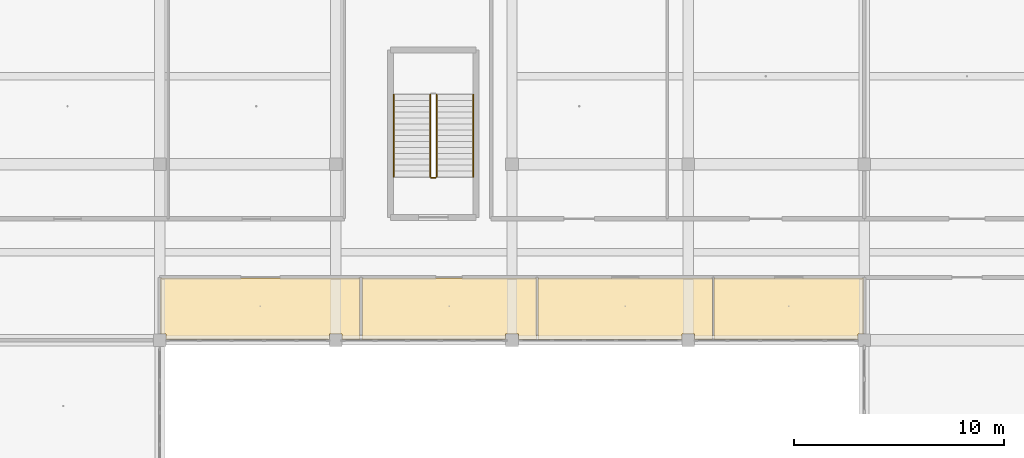
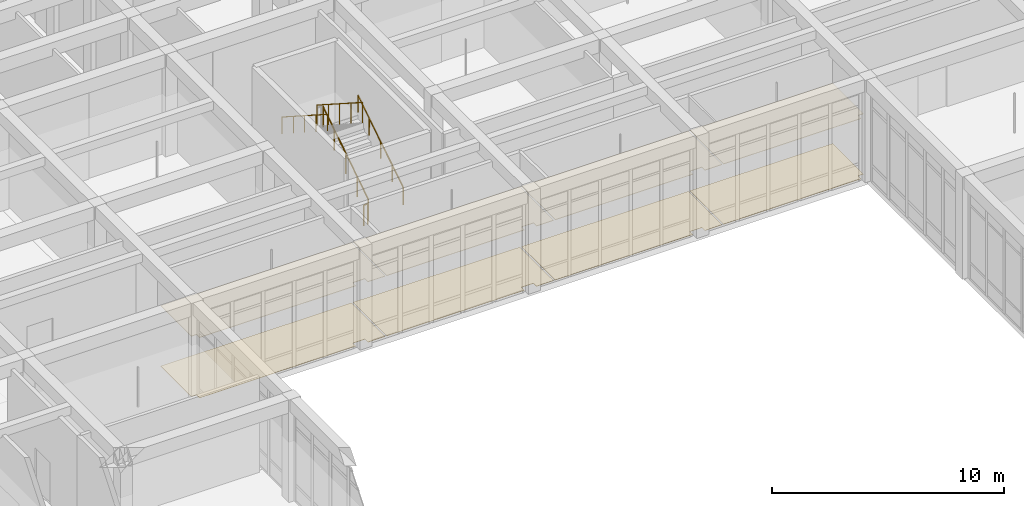
# One storey, part 138 of 157: 8 coverings, 5 railings.
"""IFC4 building model written with IfcOpenShell, lengths in metres."""

from ifc_helpers import new_model, si_unit, direction, frame, origin, origin_2d, place, context, subcontext, project, spatial, polyline, circle, outline, extrude, material, layer, layer_set, type_object, element, save


model = new_model("IFC4")

# Units and contexts
model_context = context("Model", 3, precision=1e-05, world=origin(), true_north=direction((0.0, 1.0)))
body_context = subcontext(model_context, "Body", "Model", "MODEL_VIEW")
ifc_project = project(units=[si_unit("LENGTHUNIT", "METRE"), si_unit("AREAUNIT", "SQUARE_METRE"), si_unit("VOLUMEUNIT", "CUBIC_METRE"), si_unit("PLANEANGLEUNIT", "RADIAN"), si_unit("MASSUNIT", "GRAM", prefix="KILO")], contexts=[model_context])

# Site, building, storey
site_placement = place(None, origin())
site = spatial("IfcSite", under=ifc_project, at=site_placement, CompositionType="ELEMENT")
building_placement = place(site_placement, origin())
building = spatial("IfcBuilding", under=site, at=building_placement, Name="Varncliffe General Hospital", CompositionType="ELEMENT")
storey_placement = place(building_placement, frame((0.0, 0.0, 5.39990234375)))
storey = spatial("IfcBuildingStorey", under=building, at=storey_placement, Name="L01", CompositionType="ELEMENT", Elevation=5.39990234375)

# Coverings
ifc_material_1 = material(Name="Hygienic antimicrobial acoustic suspended ceiling tile", Category="gypsum")
ifc_layer_1 = layer(ifc_material_1, 0.02490234375)
ifc_layer_set_1 = layer_set([ifc_layer_1], Name="Hygienic antimicrobial acoustic suspended ceiling tile")
covering_type_1 = type_object("IfcCoveringType", Name="Antimicrobial Acoustic Suspended Ceiling CLG44", PredefinedType="CEILING", material=ifc_layer_set_1)
covering_1_placement = place(storey_placement, frame((0.0, 0.0, 3.175048828125)))
element("IfcCovering", 1, at=covering_1_placement, inside=storey, type_object=covering_type_1, Name="L01 Clinical Pathology Laboratory 69 Suspended Ceiling", PredefinedType="CEILING", context=body_context, shape_type="SweptSolid", body=[
    extrude(outline(polyline([(34.760009765625, 85.760009765625), (34.760009765625, 82.840087890625), (33.89990234375, 82.840087890625), (33.89990234375, 83.10009765625), (33.300048828125, 83.10009765625), (33.300048828125, 82.840087890625), (25.5, 82.840087890625), (25.5, 83.10009765625), (25.239990234375, 83.10009765625), (25.239990234375, 85.760009765625), (34.760009765625, 85.760009765625)])), origin(), (0.0, 0.0, 1.0), 0.025146484375),
])
covering_2_placement = place(storey_placement, frame((0.0, 0.0, 3.175048828125)))
element("IfcCovering", 2, at=covering_2_placement, inside=storey, type_object=covering_type_1, Name="L01 Transfusion Blood Bank Laboratory 70 Suspended Ceiling", PredefinedType="CEILING", context=body_context, shape_type="SweptSolid", body=[
    extrude(outline(polyline([(34.840087890625, 82.840087890625), (34.840087890625, 85.760009765625), (43.159912109375, 85.760009765625), (43.159912109375, 82.840087890625), (42.300048828125, 82.840087890625), (42.300048828125, 83.10009765625), (41.699951171875, 83.10009765625), (41.699951171875, 82.840087890625), (34.840087890625, 82.840087890625)])), origin(), (0.0, 0.0, 1.0), 0.025146484375),
])
covering_3_placement = place(storey_placement, frame((0.0, 0.0, 3.175048828125)))
element("IfcCovering", 3, at=covering_3_placement, inside=storey, type_object=covering_type_1, Name="L01 Clinical Microbiology Laboratory 71 Suspended Ceiling", PredefinedType="CEILING", context=body_context, shape_type="SweptSolid", body=[
    extrude(outline(polyline([(43.239990234375, 82.840087890625), (43.239990234375, 85.760009765625), (51.56005859375, 85.760009765625), (51.56005859375, 82.840087890625), (50.699951171875, 82.840087890625), (50.699951171875, 83.10009765625), (50.10009765625, 83.10009765625), (50.10009765625, 82.840087890625), (43.239990234375, 82.840087890625)])), origin(), (0.0, 0.0, 1.0), 0.025146484375),
])
covering_4_placement = place(storey_placement, frame((0.0, 0.0, 3.175048828125)))
element("IfcCovering", 4, at=covering_4_placement, inside=storey, type_object=covering_type_1, Name="L01 Clinical Pathology Laboratory 72 Suspended Ceiling", PredefinedType="CEILING", context=body_context, shape_type="SweptSolid", body=[
    extrude(outline(polyline([(51.639892578125, 82.840087890625), (51.639892578125, 85.760009765625), (58.760009765625, 85.760009765625), (58.760009765625, 83.10009765625), (58.5, 83.10009765625), (58.5, 82.840087890625), (51.639892578125, 82.840087890625)])), origin(), (0.0, 0.0, 1.0), 0.025146484375),
])
ifc_material_2 = material(Name="Seamless welded hospital sheet linoleum and terrazzo flooring", Category="linoleum")
ifc_layer_2 = layer(ifc_material_2, 0.011962890625)
ifc_layer_set_2 = layer_set([ifc_layer_2], Name="Seamless welded hospital sheet linoleum and terrazzo flooring")
covering_type_2 = type_object("IfcCoveringType", Name="Seamless Hospital Linoleum Flooring FLR19", PredefinedType="FLOORING", material=ifc_layer_set_2)
covering_5_placement = place(storey_placement, origin())
element("IfcCovering", 5, at=covering_5_placement, inside=storey, type_object=covering_type_2, Name="L01 Clinical Pathology Laboratory 69 Seamless Flooring", PredefinedType="FLOORING", context=body_context, shape_type="SweptSolid", body=[
    extrude(outline(polyline([(34.760009765625, 85.760009765625), (34.760009765625, 82.840087890625), (33.89990234375, 82.840087890625), (33.89990234375, 83.10009765625), (33.300048828125, 83.10009765625), (33.300048828125, 82.840087890625), (25.5, 82.840087890625), (25.5, 83.10009765625), (25.239990234375, 83.10009765625), (25.239990234375, 85.760009765625), (34.760009765625, 85.760009765625)])), origin(), (0.0, 0.0, 1.0), 0.01220703125),
])
covering_6_placement = place(storey_placement, origin())
element("IfcCovering", 6, at=covering_6_placement, inside=storey, type_object=covering_type_2, Name="L01 Transfusion Blood Bank Laboratory 70 Seamless Flooring", PredefinedType="FLOORING", context=body_context, shape_type="SweptSolid", body=[
    extrude(outline(polyline([(34.840087890625, 82.840087890625), (34.840087890625, 85.760009765625), (43.159912109375, 85.760009765625), (43.159912109375, 82.840087890625), (42.300048828125, 82.840087890625), (42.300048828125, 83.10009765625), (41.699951171875, 83.10009765625), (41.699951171875, 82.840087890625), (34.840087890625, 82.840087890625)])), origin(), (0.0, 0.0, 1.0), 0.01220703125),
])
covering_7_placement = place(storey_placement, origin())
element("IfcCovering", 7, at=covering_7_placement, inside=storey, type_object=covering_type_2, Name="L01 Clinical Microbiology Laboratory 71 Seamless Flooring", PredefinedType="FLOORING", context=body_context, shape_type="SweptSolid", body=[
    extrude(outline(polyline([(43.239990234375, 82.840087890625), (43.239990234375, 85.760009765625), (51.56005859375, 85.760009765625), (51.56005859375, 82.840087890625), (50.699951171875, 82.840087890625), (50.699951171875, 83.10009765625), (50.10009765625, 83.10009765625), (50.10009765625, 82.840087890625), (43.239990234375, 82.840087890625)])), origin(), (0.0, 0.0, 1.0), 0.01220703125),
])
covering_8_placement = place(storey_placement, origin())
element("IfcCovering", 8, at=covering_8_placement, inside=storey, type_object=covering_type_2, Name="L01 Clinical Pathology Laboratory 72 Seamless Flooring", PredefinedType="FLOORING", context=body_context, shape_type="SweptSolid", body=[
    extrude(outline(polyline([(51.639892578125, 82.840087890625), (51.639892578125, 85.760009765625), (58.760009765625, 85.760009765625), (58.760009765625, 83.10009765625), (58.5, 83.10009765625), (58.5, 82.840087890625), (51.639892578125, 82.840087890625)])), origin(), (0.0, 0.0, 1.0), 0.01220703125),
])

# Railings
ifc_material_3 = material(Name="Powder-coated hospital steel guardrail and handrail", Category="steel")
railing_type_1 = type_object("IfcRailingType", Name="Stair and Ramp Handrail HR46", PredefinedType="HANDRAIL", material=ifc_material_3)
railing_1_placement = place(storey_placement, frame((40.14990234375, 90.60009765625, 0.364013671875)))
element("IfcRailing", 9, at=railing_1_placement, inside=storey, type_object=railing_type_1, Name="L01 ST13 stair handrail 1", PredefinedType="HANDRAIL", context=body_context, shape_type="SweptSolid", body=[
    extrude(circle(Radius=0.02392578125, at=origin_2d()), frame((0.0, 0.0, 0.8759765625), z_axis=(0.0, 0.841171666519, 0.540768182723), x_axis=(-1.0, 0.0, 0.0)), (0.0, 0.0, 1.0), 4.66015625),
    extrude(circle(Radius=0.02099609375, at=origin_2d()), origin(), (0.0, 0.0, 1.0), 0.851806640625),
    extrude(circle(Radius=0.02099609375, at=origin_2d()), frame((0.0, 0.97998046875, 0.6298828125)), (0.0, 0.0, 1.0), 0.851806640625),
    extrude(circle(Radius=0.02099609375, at=origin_2d()), frame((0.0, 1.9599609375, 1.260009765625)), (0.0, 0.0, 1.0), 0.851806640625),
    extrude(circle(Radius=0.02099609375, at=origin_2d()), frame((0.0, 2.93994140625, 1.89013671875)), (0.0, 0.0, 1.0), 0.851806640625),
    extrude(circle(Radius=0.02099609375, at=origin_2d()), frame((0.0, 3.919921875, 2.52001953125)), (0.0, 0.0, 1.0), 0.851806640625),
])
railing_2_placement = place(storey_placement, frame((36.35009765625, 94.52001953125, 3.064208984375)))
element("IfcRailing", 10, at=railing_2_placement, inside=storey, type_object=railing_type_1, Name="L01 ST13 stair handrail 2", PredefinedType="HANDRAIL", context=body_context, shape_type="SweptSolid", body=[
    extrude(circle(Radius=0.02392578125, at=origin_2d()), frame((0.0, 0.0, 0.8759765625), z_axis=(0.0, -0.84119549742, 0.540731111663), x_axis=(1.0, 0.0, 0.0)), (0.0, 0.0, 1.0), 4.659912109375),
    extrude(circle(Radius=0.02099609375, at=origin_2d()), origin(), (0.0, 0.0, 1.0), 0.851806640625),
    extrude(circle(Radius=0.02099609375, at=origin_2d()), frame((0.0, -0.97998046875, 0.6298828125)), (0.0, 0.0, 1.0), 0.851806640625),
    extrude(circle(Radius=0.02099609375, at=origin_2d()), frame((0.0, -1.9599609375, 1.259765625)), (0.0, 0.0, 1.0), 0.851806640625),
    extrude(circle(Radius=0.02099609375, at=origin_2d()), frame((0.0, -2.93994140625, 1.889892578125)), (0.0, 0.0, 1.0), 0.851806640625),
    extrude(circle(Radius=0.02099609375, at=origin_2d()), frame((0.0, -3.919921875, 2.519775390625)), (0.0, 0.0, 1.0), 0.851806640625),
])
railing_type_2 = type_object("IfcRailingType", Name="Stairwell Guardrail SG49", PredefinedType="GUARDRAIL", material=ifc_material_3)
railing_3_placement = place(storey_placement, frame((38.39990234375, 90.60009765625, 0.18017578125)))
element("IfcRailing", 11, at=railing_3_placement, inside=storey, type_object=railing_type_2, Name="L01 ST13 stair guard 1", PredefinedType="GUARDRAIL", context=body_context, shape_type="SweptSolid", body=[
    extrude(circle(Radius=0.02392578125, at=origin_2d()), frame((0.0, 0.0, 1.076171875), z_axis=(0.0, 0.841171666519, 0.540768182723), x_axis=(-1.0, 0.0, 0.0)), (0.0, 0.0, 1.0), 4.66015625),
    extrude(circle(Radius=0.02099609375, at=origin_2d()), origin(), (0.0, 0.0, 1.0), 1.052001953125),
    extrude(circle(Radius=0.02099609375, at=origin_2d()), frame((0.0, 0.97998046875, 0.6298828125)), (0.0, 0.0, 1.0), 1.052001953125),
    extrude(circle(Radius=0.02099609375, at=origin_2d()), frame((0.0, 1.9599609375, 1.260009765625)), (0.0, 0.0, 1.0), 1.052001953125),
    extrude(circle(Radius=0.02099609375, at=origin_2d()), frame((0.0, 2.93994140625, 1.89013671875)), (0.0, 0.0, 1.0), 1.052001953125),
    extrude(circle(Radius=0.02099609375, at=origin_2d()), frame((0.0, 3.919921875, 2.52001953125)), (0.0, 0.0, 1.0), 1.052001953125),
])
railing_4_placement = place(storey_placement, frame((38.10009765625, 94.52001953125, 2.880126953125)))
element("IfcRailing", 12, at=railing_4_placement, inside=storey, type_object=railing_type_2, Name="L01 ST13 stair guard 3", PredefinedType="GUARDRAIL", context=body_context, shape_type="SweptSolid", body=[
    extrude(circle(Radius=0.02392578125, at=origin_2d()), frame((0.0, 0.0, 1.076171875), z_axis=(0.0, -0.841171666519, 0.540768182723), x_axis=(1.0, 0.0, 0.0)), (0.0, 0.0, 1.0), 4.66015625),
    extrude(circle(Radius=0.02099609375, at=origin_2d()), origin(), (0.0, 0.0, 1.0), 1.052001953125),
    extrude(circle(Radius=0.02099609375, at=origin_2d()), frame((0.0, -0.97998046875, 0.6298828125)), (0.0, 0.0, 1.0), 1.052001953125),
    extrude(circle(Radius=0.02099609375, at=origin_2d()), frame((0.0, -1.9599609375, 1.260009765625)), (0.0, 0.0, 1.0), 1.052001953125),
    extrude(circle(Radius=0.02099609375, at=origin_2d()), frame((0.0, -2.93994140625, 1.89013671875)), (0.0, 0.0, 1.0), 1.052001953125),
    extrude(circle(Radius=0.02099609375, at=origin_2d()), frame((0.0, -3.919921875, 2.52001953125)), (0.0, 0.0, 1.0), 1.052001953125),
])
railing_5_placement = place(storey_placement, frame((38.35009765625, 90.550048828125, 0.0)))
element("IfcRailing", 13, at=railing_5_placement, inside=storey, type_object=railing_type_2, Name="L01 ST13 stair guard 4", PredefinedType="GUARDRAIL", context=body_context, shape_type="SweptSolid", body=[
    extrude(circle(Radius=0.02392578125, at=origin_2d()), frame((0.0, 0.0, 1.076171875), z_axis=(-1.0, 0.0, 0.0), x_axis=(0.0, -1.0, 0.0)), (0.0, 0.0, 1.0), 0.2001953125),
    extrude(circle(Radius=0.02099609375, at=origin_2d()), origin(), (0.0, 0.0, 1.0), 1.052001953125),
    extrude(circle(Radius=0.02099609375, at=origin_2d()), frame((-0.2001953125, 0.0, 0.0)), (0.0, 0.0, 1.0), 1.052001953125),
])

save(model, "model.ifc")
